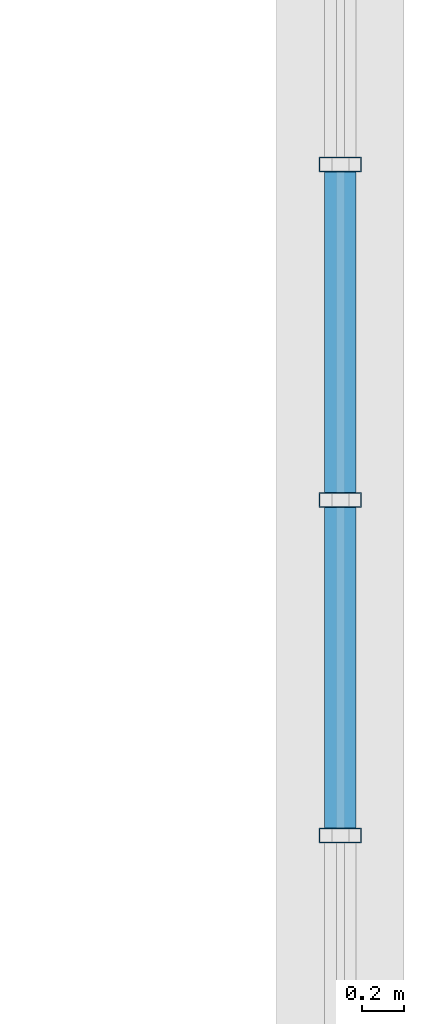
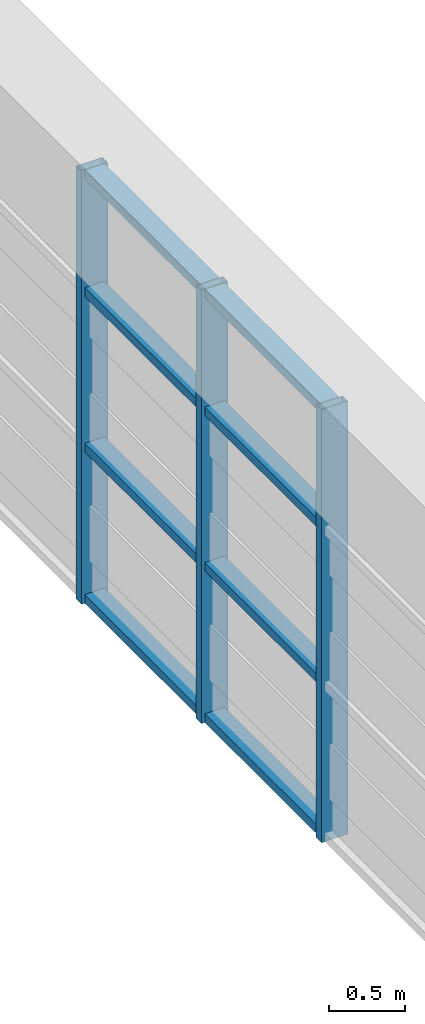
# One storey, part 14 of 27: 11 members, 1 element without a shape of its own.
"""IFC4 building model written with IfcOpenShell, lengths in metres."""

from ifc_helpers import new_model, si_unit, direction, frame, origin, origin_2d, place, context, subcontext, project, spatial, hollow_rectangle, extrude, source, transform, mapped, material, layer, layer_set, material_profile, profile_set, type_object, element, aggregate, save


model = new_model("IFC4")

# Units and contexts
model_context = context("Model", 3, precision=1e-05, world=origin(), true_north=direction((0.0, 1.0)))
body_context = subcontext(model_context, "Body", "Model", "MODEL_VIEW")
ifc_project = project(units=[si_unit("LENGTHUNIT", "METRE"), si_unit("AREAUNIT", "SQUARE_METRE"), si_unit("VOLUMEUNIT", "CUBIC_METRE"), si_unit("PLANEANGLEUNIT", "RADIAN"), si_unit("MASSUNIT", "GRAM", prefix="KILO")], contexts=[model_context])

# Site, building, storey
site_placement = place(None, origin())
site = spatial("IfcSite", under=ifc_project, at=site_placement, CompositionType="ELEMENT")
building_placement = place(site_placement, origin())
building = spatial("IfcBuilding", under=site, at=building_placement, Name="Saelheon Loggia Tower", CompositionType="ELEMENT")
storey_placement = place(building_placement, frame((0.0, 0.0, 263.60009765625)))
storey = spatial("IfcBuildingStorey", under=building, at=storey_placement, Name="CR4", CompositionType="ELEMENT", Elevation=263.60009765625)

# Curtain wall, members
ifc_material_1 = material(Name="Bronze-Anodised Aluminium and Fritted Ceramic Screen", Category="aluminium")
ifc_layer = layer(ifc_material_1, 0.219970703125)
ifc_layer_set = layer_set([ifc_layer], Name="Bronze-Anodised Aluminium and Fritted Ceramic Screen")
curtain_wall_type = type_object("IfcCurtainWallType", Name="CW_CrownScreen", PredefinedType="NOTDEFINED", material=ifc_layer_set)
curtain_wall_placement = place(storey_placement, origin())
curtain_wall = element("IfcCurtainWall", 1, at=curtain_wall_placement, inside=storey, type_object=curtain_wall_type, Name="CR4 Crown Screen Curtain Wall 3-2", PredefinedType="NOTDEFINED")
ifc_material_2 = material(Name="Bronze-Anodised Aluminium 6063-T6", Category="aluminium")
ifc_material_profile_1 = material_profile(ifc_material_2, hollow_rectangle(XDim=0.070068359375, YDim=0.199951171875, WallThickness=0.0048828125, at=origin_2d()), Name="RHS-200x70x5")
ifc_profile_set_1 = profile_set([ifc_material_profile_1], Name="Bronze-Anodised Aluminium 6063-T6")
member_type_1 = type_object("IfcMemberType", Name="CW_CrownScreen_Mullion", PredefinedType="MULLION", material=ifc_profile_set_1)
shared_shape_1 = source(origin(), body_context, "Body", "SweptSolid", [
    extrude(hollow_rectangle(XDim=0.070068359375, YDim=0.199951171875, WallThickness=0.0048828125, at=origin_2d()), origin(), (0.0, 0.0, 1.0), 3.47998046875),
])
member_1_placement = place(storey_placement, frame((52.64990234375, 23.050048828125, 0.0), z_axis=(0.0, 0.0, 1.0), x_axis=(0.0, 1.0, 0.0)))
member_1 = element("IfcMember", 2, at=member_1_placement, type_object=member_type_1, Name="CW6 mullion 4", PredefinedType="MULLION", context=body_context, shape_type="MappedRepresentation", body=[
    mapped(shared_shape_1, transform((0.0, 0.0, 0.0), scale=1.0)),
])
member_2_placement = place(storey_placement, frame((52.64990234375, 24.6298828125, 0.0), z_axis=(0.0, 0.0, 1.0), x_axis=(0.0, 1.0, 0.0)))
member_2 = element("IfcMember", 3, at=member_2_placement, type_object=member_type_1, Name="CW6 mullion 5", PredefinedType="MULLION", context=body_context, shape_type="MappedRepresentation", body=[
    mapped(shared_shape_1, transform((0.0, 0.0, 0.0), scale=1.0)),
])
member_3_placement = place(storey_placement, frame((52.64990234375, 26.2099609375, 0.0), z_axis=(0.0, 0.0, 1.0), x_axis=(0.0, 1.0, 0.0)))
member_3 = element("IfcMember", 4, at=member_3_placement, type_object=member_type_1, Name="CW6 mullion 6", PredefinedType="MULLION", context=body_context, shape_type="MappedRepresentation", body=[
    mapped(shared_shape_1, transform((0.0, 0.0, 0.0), scale=1.0)),
])
ifc_material_profile_2 = material_profile(ifc_material_2, hollow_rectangle(XDim=0.070068359375, YDim=0.14990234375, WallThickness=0.0048828125, at=origin_2d()), Name="RHS-150x70x5")
ifc_profile_set_2 = profile_set([ifc_material_profile_2], Name="Bronze-Anodised Aluminium 6063-T6")
member_type_2 = type_object("IfcMemberType", Name="CW_CrownScreen_Transom", PredefinedType="USERDEFINED", material=ifc_profile_set_2)
shared_shape_2 = source(origin(), body_context, "Body", "SweptSolid", [
    extrude(hollow_rectangle(XDim=0.070068359375, YDim=0.14990234375, WallThickness=0.0048828125, at=origin_2d()), origin(), (0.0, 0.0, 1.0), 1.510009765625),
])
member_4_placement = place(storey_placement, frame((52.64990234375, 23.0849609375, 0.034912109375), z_axis=(0.0, 1.0, 0.0), x_axis=(0.0, 0.0, 1.0)))
member_4 = element("IfcMember", 5, at=member_4_placement, type_object=member_type_2, Name="CW6 transom 4.1", ObjectType="TRANSOM", PredefinedType="USERDEFINED", context=body_context, shape_type="MappedRepresentation", body=[
    mapped(shared_shape_2, transform((0.0, 0.0, 0.0), scale=1.0)),
])
member_5_placement = place(storey_placement, frame((52.64990234375, 23.0849609375, 1.25), z_axis=(0.0, 1.0, 0.0), x_axis=(0.0, 0.0, 1.0)))
member_5 = element("IfcMember", 6, at=member_5_placement, type_object=member_type_2, Name="CW6 transom 4.2", ObjectType="TRANSOM", PredefinedType="USERDEFINED", context=body_context, shape_type="MappedRepresentation", body=[
    mapped(shared_shape_2, transform((0.0, 0.0, 0.0), scale=1.0)),
])
member_6_placement = place(storey_placement, frame((52.64990234375, 23.0849609375, 2.5), z_axis=(0.0, 1.0, 0.0), x_axis=(0.0, 0.0, 1.0)))
member_6 = element("IfcMember", 7, at=member_6_placement, type_object=member_type_2, Name="CW6 transom 4.3", ObjectType="TRANSOM", PredefinedType="USERDEFINED", context=body_context, shape_type="MappedRepresentation", body=[
    mapped(shared_shape_2, transform((0.0, 0.0, 0.0), scale=1.0)),
])
member_7_placement = place(storey_placement, frame((52.64990234375, 23.0849609375, 3.44482421875), z_axis=(0.0, 1.0, 0.0), x_axis=(0.0, 0.0, 1.0)))
member_7 = element("IfcMember", 8, at=member_7_placement, type_object=member_type_2, Name="CW6 transom 4.4", ObjectType="TRANSOM", PredefinedType="USERDEFINED", context=body_context, shape_type="MappedRepresentation", body=[
    mapped(shared_shape_2, transform((0.0, 0.0, 0.0), scale=1.0)),
])
member_8_placement = place(storey_placement, frame((52.64990234375, 24.6650390625, 0.034912109375), z_axis=(0.0, 1.0, 0.0), x_axis=(0.0, 0.0, 1.0)))
member_8 = element("IfcMember", 9, at=member_8_placement, type_object=member_type_2, Name="CW6 transom 5.1", ObjectType="TRANSOM", PredefinedType="USERDEFINED", context=body_context, shape_type="MappedRepresentation", body=[
    mapped(shared_shape_2, transform((0.0, 0.0, 0.0), scale=1.0)),
])
member_9_placement = place(storey_placement, frame((52.64990234375, 24.6650390625, 1.25), z_axis=(0.0, 1.0, 0.0), x_axis=(0.0, 0.0, 1.0)))
member_9 = element("IfcMember", 10, at=member_9_placement, type_object=member_type_2, Name="CW6 transom 5.2", ObjectType="TRANSOM", PredefinedType="USERDEFINED", context=body_context, shape_type="MappedRepresentation", body=[
    mapped(shared_shape_2, transform((0.0, 0.0, 0.0), scale=1.0)),
])
member_10_placement = place(storey_placement, frame((52.64990234375, 24.6650390625, 2.5), z_axis=(0.0, 1.0, 0.0), x_axis=(0.0, 0.0, 1.0)))
member_10 = element("IfcMember", 11, at=member_10_placement, type_object=member_type_2, Name="CW6 transom 5.3", ObjectType="TRANSOM", PredefinedType="USERDEFINED", context=body_context, shape_type="MappedRepresentation", body=[
    mapped(shared_shape_2, transform((0.0, 0.0, 0.0), scale=1.0)),
])
member_11_placement = place(storey_placement, frame((52.64990234375, 24.6650390625, 3.44482421875), z_axis=(0.0, 1.0, 0.0), x_axis=(0.0, 0.0, 1.0)))
member_11 = element("IfcMember", 12, at=member_11_placement, type_object=member_type_2, Name="CW6 transom 5.4", ObjectType="TRANSOM", PredefinedType="USERDEFINED", context=body_context, shape_type="MappedRepresentation", body=[
    mapped(shared_shape_2, transform((0.0, 0.0, 0.0), scale=1.0)),
])
aggregate(curtain_wall, [member_1, member_2, member_3, member_4, member_5, member_6, member_7, member_8, member_9, member_10, member_11])

save(model, "model.ifc")
